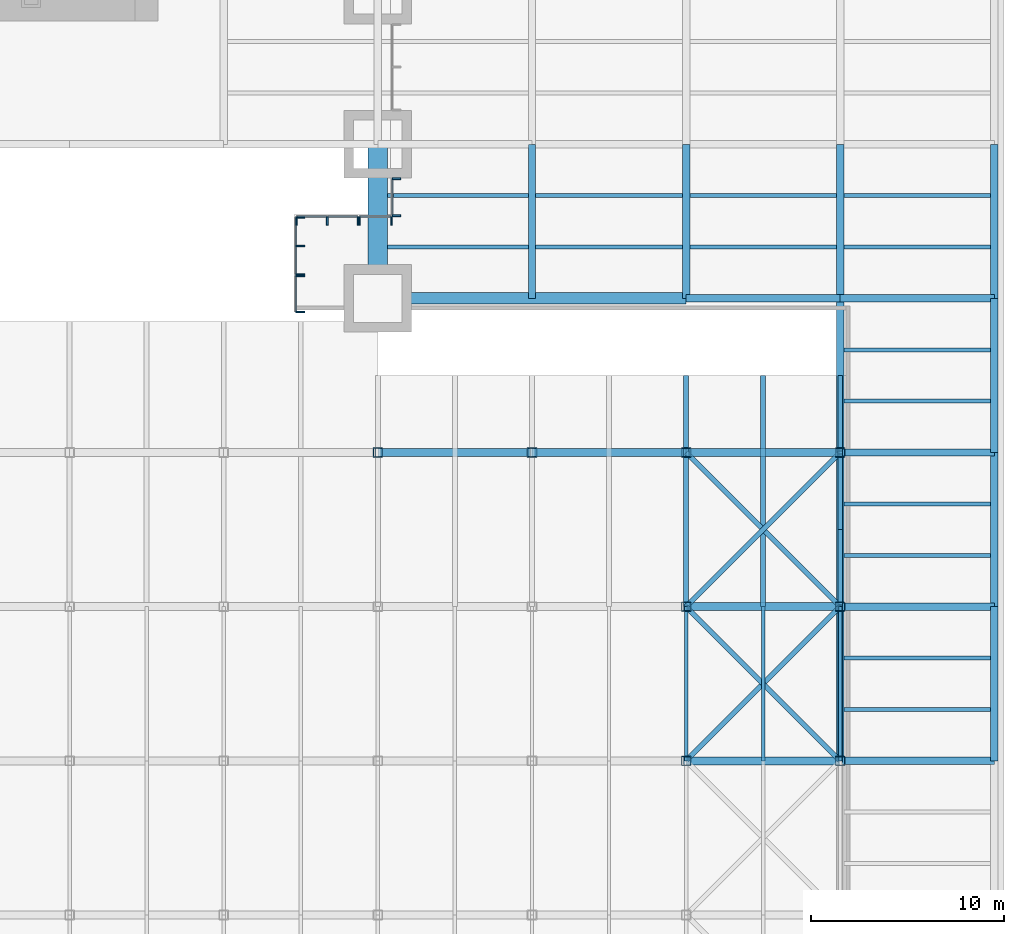
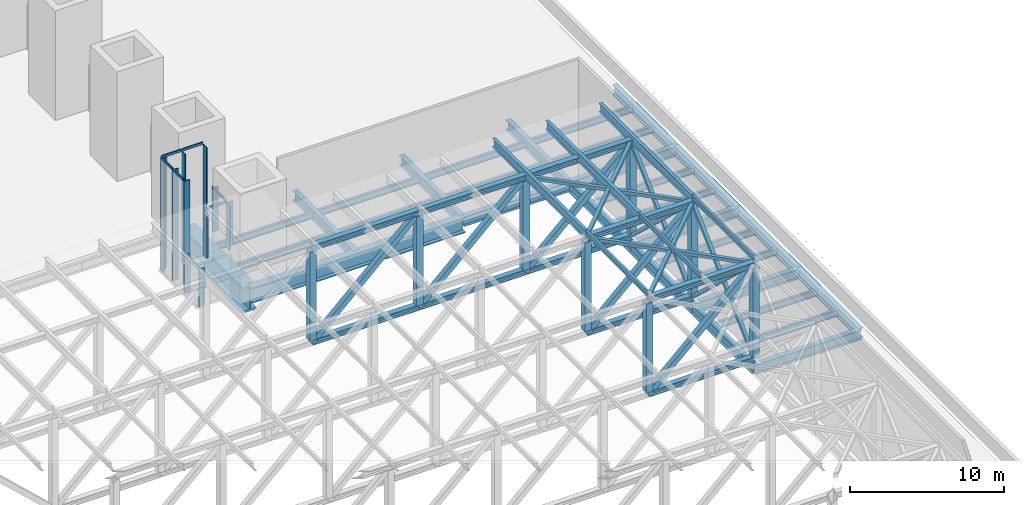
# One storey, part 6 of 20: 56 members, 31 beams, 5 elements without a shape of their own.
"""IFC4 building model written with IfcOpenShell, lengths in metres."""

from ifc_helpers import new_model, si_unit, direction, frame, origin, origin_2d, place, context, subcontext, project, spatial, rectangle, hollow_rectangle, i_section, extrude, material, material_profile, profile_set, type_object, element, aggregate, save


model = new_model("IFC4")

# Units and contexts
model_context = context("Model", 3, precision=1e-05, world=origin(), true_north=direction((0.0, 1.0)))
body_context = subcontext(model_context, "Body", "Model", "MODEL_VIEW")
ifc_project = project(units=[si_unit("LENGTHUNIT", "METRE"), si_unit("AREAUNIT", "SQUARE_METRE"), si_unit("VOLUMEUNIT", "CUBIC_METRE"), si_unit("PLANEANGLEUNIT", "RADIAN"), si_unit("MASSUNIT", "GRAM", prefix="KILO")], contexts=[model_context])

# Site, building, storey
site_placement = place(None, origin())
site = spatial("IfcSite", under=ifc_project, at=site_placement, CompositionType="ELEMENT")
building_placement = place(site_placement, origin())
building = spatial("IfcBuilding", under=site, at=building_placement, Name="Daluyong Arena Tower", CompositionType="ELEMENT")
storey_placement = place(building_placement, frame((0.0, 0.0, 25.89990234375)))
storey = spatial("IfcBuildingStorey", under=building, at=storey_placement, Name="L05", CompositionType="ELEMENT", Elevation=25.89990234375)

# Curtain wall, members
ifc_material_1 = material(Name="Bronze anodised aluminium and glass", Category="aluminium")
curtain_wall_type = type_object("IfcCurtainWallType", Name="Curtain wall CW6", PredefinedType="USERDEFINED", material=ifc_material_1)
curtain_wall_1_placement = place(storey_placement, origin())
curtain_wall_1 = element("IfcCurtainWall", 1, at=curtain_wall_1_placement, inside=storey, type_object=curtain_wall_type, Name="curtain wall L05 SE-E bay 1", ObjectType="UNITISED CURTAIN WALL", PredefinedType="USERDEFINED")
ifc_material_2 = material(Name="Bronze anodised aluminium fin", Category="aluminium")
ifc_material_profile_1 = material_profile(ifc_material_2, rectangle(XDim=0.449951171875, YDim=0.080078125, at=origin_2d()))
ifc_profile_set_1 = profile_set([ifc_material_profile_1], Name="Bronze anodised aluminium fin")
member_type_1 = type_object("IfcMemberType", Name="CW6 bronze fin 450x80", PredefinedType="MULLION", material=ifc_profile_set_1)
member_1_placement = place(storey_placement, frame((75.97509765625, 55.2900390625, 0.0), z_axis=(0.0, 0.0, 1.0), x_axis=(-1.0, 0.0, 0.0)))
member_1 = element("IfcMember", 2, at=member_1_placement, type_object=member_type_1, Name="curtain wall L05 SE-E bay 1 fin 1", PredefinedType="MULLION", context=body_context, shape_type="SweptSolid", body=[
    extrude(rectangle(XDim=0.449951171875, YDim=0.080078125, at=origin_2d()), origin(), (0.0, 0.0, 1.0), 3.0),
])
member_2_placement = place(storey_placement, frame((75.97509765625, 57.159912109375, 0.0), z_axis=(0.0, 0.0, 1.0), x_axis=(-1.0, 0.0, 0.0)))
member_2 = element("IfcMember", 3, at=member_2_placement, type_object=member_type_1, Name="curtain wall L05 SE-E bay 1 fin 2", PredefinedType="MULLION", context=body_context, shape_type="SweptSolid", body=[
    extrude(rectangle(XDim=0.449951171875, YDim=0.080078125, at=origin_2d()), origin(), (0.0, 0.0, 1.0), 3.0),
])

curtain_wall_2_placement = place(storey_placement, origin())
curtain_wall_2 = element("IfcCurtainWall", 4, at=curtain_wall_2_placement, inside=storey, type_object=curtain_wall_type, Name="curtain wall L05 SE-E bay 2", ObjectType="UNITISED CURTAIN WALL", PredefinedType="USERDEFINED")
member_3_placement = place(storey_placement, frame((75.97509765625, 57.239990234375, 0.0), z_axis=(0.0, 0.0, 1.0), x_axis=(-1.0, 0.0, 0.0)))
member_3 = element("IfcMember", 5, at=member_3_placement, type_object=member_type_1, Name="curtain wall L05 SE-E bay 2 fin 1", PredefinedType="MULLION", context=body_context, shape_type="SweptSolid", body=[
    extrude(rectangle(XDim=0.449951171875, YDim=0.080078125, at=origin_2d()), origin(), (0.0, 0.0, 1.0), 8.800048828125),
])
member_4_placement = place(storey_placement, frame((75.97509765625, 58.72509765625, 0.0), z_axis=(0.0, 0.0, 1.0), x_axis=(-1.0, 0.0, 0.0)))
member_4 = element("IfcMember", 6, at=member_4_placement, type_object=member_type_1, Name="curtain wall L05 SE-E bay 2 fin 2", PredefinedType="MULLION", context=body_context, shape_type="SweptSolid", body=[
    extrude(rectangle(XDim=0.449951171875, YDim=0.080078125, at=origin_2d()), origin(), (0.0, 0.0, 1.0), 8.800048828125),
])
member_5_placement = place(storey_placement, frame((75.97509765625, 60.2099609375, 0.0), z_axis=(0.0, 0.0, 1.0), x_axis=(-1.0, 0.0, 0.0)))
member_5 = element("IfcMember", 7, at=member_5_placement, type_object=member_type_1, Name="curtain wall L05 SE-E bay 2 fin 3", PredefinedType="MULLION", context=body_context, shape_type="SweptSolid", body=[
    extrude(rectangle(XDim=0.449951171875, YDim=0.080078125, at=origin_2d()), origin(), (0.0, 0.0, 1.0), 8.800048828125),
])

curtain_wall_3_placement = place(storey_placement, origin())
curtain_wall_3 = element("IfcCurtainWall", 8, at=curtain_wall_3_placement, inside=storey, type_object=curtain_wall_type, Name="curtain wall L05 SE-S bay 1", ObjectType="UNITISED CURTAIN WALL", PredefinedType="USERDEFINED")
member_6_placement = place(storey_placement, frame((75.7900390625, 60.02490234375, 0.0), z_axis=(0.0, 0.0, 1.0), x_axis=(0.0, 1.0, 0.0)))
member_6 = element("IfcMember", 9, at=member_6_placement, type_object=member_type_1, Name="curtain wall L05 SE-S bay 1 fin 1", PredefinedType="MULLION", context=body_context, shape_type="SweptSolid", body=[
    extrude(rectangle(XDim=0.449951171875, YDim=0.080078125, at=origin_2d()), origin(), (0.0, 0.0, 1.0), 8.800048828125),
])
member_7_placement = place(storey_placement, frame((77.375, 60.02490234375, 0.0), z_axis=(0.0, 0.0, 1.0), x_axis=(0.0, 1.0, 0.0)))
member_7 = element("IfcMember", 10, at=member_7_placement, type_object=member_type_1, Name="curtain wall L05 SE-S bay 1 fin 2", PredefinedType="MULLION", context=body_context, shape_type="SweptSolid", body=[
    extrude(rectangle(XDim=0.449951171875, YDim=0.080078125, at=origin_2d()), origin(), (0.0, 0.0, 1.0), 8.800048828125),
])
member_8_placement = place(storey_placement, frame((78.9599609375, 60.02490234375, 0.0), z_axis=(0.0, 0.0, 1.0), x_axis=(0.0, 1.0, 0.0)))
member_8 = element("IfcMember", 11, at=member_8_placement, type_object=member_type_1, Name="curtain wall L05 SE-S bay 1 fin 3", PredefinedType="MULLION", context=body_context, shape_type="SweptSolid", body=[
    extrude(rectangle(XDim=0.449951171875, YDim=0.080078125, at=origin_2d()), origin(), (0.0, 0.0, 1.0), 8.800048828125),
])

curtain_wall_4_placement = place(storey_placement, origin())
curtain_wall_4 = element("IfcCurtainWall", 12, at=curtain_wall_4_placement, inside=storey, type_object=curtain_wall_type, Name="curtain wall L05 SE-S bay 2", ObjectType="UNITISED CURTAIN WALL", PredefinedType="USERDEFINED")
member_9_placement = place(storey_placement, frame((79.0400390625, 60.02490234375, 0.0), z_axis=(0.0, 0.0, 1.0), x_axis=(0.0, 1.0, 0.0)))
member_9 = element("IfcMember", 13, at=member_9_placement, type_object=member_type_1, Name="curtain wall L05 SE-S bay 2 fin 1", PredefinedType="MULLION", context=body_context, shape_type="SweptSolid", body=[
    extrude(rectangle(XDim=0.449951171875, YDim=0.080078125, at=origin_2d()), origin(), (0.0, 0.0, 1.0), 3.5),
])
member_10_placement = place(storey_placement, frame((80.7099609375, 60.02490234375, 0.0), z_axis=(0.0, 0.0, 1.0), x_axis=(0.0, 1.0, 0.0)))
member_10 = element("IfcMember", 14, at=member_10_placement, type_object=member_type_1, Name="curtain wall L05 SE-S bay 2 fin 2", PredefinedType="MULLION", context=body_context, shape_type="SweptSolid", body=[
    extrude(rectangle(XDim=0.449951171875, YDim=0.080078125, at=origin_2d()), origin(), (0.0, 0.0, 1.0), 3.5),
])

curtain_wall_5_placement = place(storey_placement, origin())
curtain_wall_5 = element("IfcCurtainWall", 15, at=curtain_wall_5_placement, inside=storey, type_object=curtain_wall_type, Name="curtain wall L05 E bay 1", ObjectType="UNITISED CURTAIN WALL", PredefinedType="USERDEFINED")
member_11_placement = place(storey_placement, frame((80.97509765625, 60.2900390625, 0.0), z_axis=(0.0, 0.0, 1.0), x_axis=(-1.0, 0.0, 0.0)))
member_11 = element("IfcMember", 16, at=member_11_placement, type_object=member_type_1, Name="curtain wall L05 E bay 1 fin 1", PredefinedType="MULLION", context=body_context, shape_type="SweptSolid", body=[
    extrude(rectangle(XDim=0.449951171875, YDim=0.080078125, at=origin_2d()), origin(), (0.0, 0.0, 1.0), 3.5),
])
member_12_placement = place(storey_placement, frame((80.97509765625, 62.2099609375, 0.0), z_axis=(0.0, 0.0, 1.0), x_axis=(-1.0, 0.0, 0.0)))
member_12 = element("IfcMember", 17, at=member_12_placement, type_object=member_type_1, Name="curtain wall L05 E bay 1 fin 2", PredefinedType="MULLION", context=body_context, shape_type="SweptSolid", body=[
    extrude(rectangle(XDim=0.449951171875, YDim=0.080078125, at=origin_2d()), origin(), (0.0, 0.0, 1.0), 3.5),
])

# Member
ifc_material_3 = material(Name="Bronze anodised aluminium", Category="aluminium")
ifc_material_profile_2 = material_profile(ifc_material_3, rectangle(XDim=0.080078125, YDim=0.199951171875, at=origin_2d()))
ifc_profile_set_2 = profile_set([ifc_material_profile_2], Name="Bronze anodised aluminium")
member_type_2 = type_object("IfcMemberType", Name="CW6 stack transom 200x80", PredefinedType="USERDEFINED", material=ifc_profile_set_2)
member_13_placement = place(storey_placement, frame((75.75, 55.330078125, 3.10009765625), z_axis=(0.0, 1.0, 0.0), x_axis=(-1.0, 0.0, 0.0)))
member_13 = element("IfcMember", 18, at=member_13_placement, type_object=member_type_2, Name="curtain wall L05 SE-E bay 1 transom 1", ObjectType="TRANSOM", PredefinedType="USERDEFINED", context=body_context, shape_type="SweptSolid", body=[
    extrude(rectangle(XDim=0.080078125, YDim=0.199951171875, at=origin_2d()), origin(), (0.0, 0.0, 1.0), 1.7900390625),
])

aggregate(curtain_wall_1, [member_1, member_2, member_13])

member_14_placement = place(storey_placement, frame((75.75, 57.280029296875, 8.900146484375), z_axis=(0.0, 1.0, 0.0), x_axis=(-1.0, 0.0, 0.0)))
member_14 = element("IfcMember", 19, at=member_14_placement, type_object=member_type_2, Name="curtain wall L05 SE-E bay 2 transom 1", ObjectType="TRANSOM", PredefinedType="USERDEFINED", context=body_context, shape_type="SweptSolid", body=[
    extrude(rectangle(XDim=0.080078125, YDim=0.199951171875, at=origin_2d()), origin(), (0.0, 0.0, 1.0), 1.405029296875),
])

member_15_placement = place(storey_placement, frame((75.75, 58.764892578125, 8.900146484375), z_axis=(0.0, 1.0, 0.0), x_axis=(-1.0, 0.0, 0.0)))
member_15 = element("IfcMember", 20, at=member_15_placement, type_object=member_type_2, Name="curtain wall L05 SE-E bay 2 transom 2", ObjectType="TRANSOM", PredefinedType="USERDEFINED", context=body_context, shape_type="SweptSolid", body=[
    extrude(rectangle(XDim=0.080078125, YDim=0.199951171875, at=origin_2d()), origin(), (0.0, 0.0, 1.0), 1.405029296875),
])

aggregate(curtain_wall_2, [member_3, member_4, member_5, member_14, member_15])

member_16_placement = place(storey_placement, frame((75.830078125, 60.25, 8.900146484375), z_axis=(1.0, 0.0, 0.0), x_axis=(0.0, 1.0, 0.0)))
member_16 = element("IfcMember", 21, at=member_16_placement, type_object=member_type_2, Name="curtain wall L05 SE-S bay 1 transom 1", ObjectType="TRANSOM", PredefinedType="USERDEFINED", context=body_context, shape_type="SweptSolid", body=[
    extrude(rectangle(XDim=0.080078125, YDim=0.199951171875, at=origin_2d()), origin(), (0.0, 0.0, 1.0), 1.5048828125),
])

member_17_placement = place(storey_placement, frame((77.4150390625, 60.25, 8.900146484375), z_axis=(1.0, 0.0, 0.0), x_axis=(0.0, 1.0, 0.0)))
member_17 = element("IfcMember", 22, at=member_17_placement, type_object=member_type_2, Name="curtain wall L05 SE-S bay 1 transom 2", ObjectType="TRANSOM", PredefinedType="USERDEFINED", context=body_context, shape_type="SweptSolid", body=[
    extrude(rectangle(XDim=0.080078125, YDim=0.199951171875, at=origin_2d()), origin(), (0.0, 0.0, 1.0), 1.5048828125),
])

aggregate(curtain_wall_3, [member_6, member_7, member_8, member_16, member_17])

member_18_placement = place(storey_placement, frame((79.080078125, 60.25, 3.60009765625), z_axis=(1.0, 0.0, 0.0), x_axis=(0.0, 1.0, 0.0)))
member_18 = element("IfcMember", 23, at=member_18_placement, type_object=member_type_2, Name="curtain wall L05 SE-S bay 2 transom 1", ObjectType="TRANSOM", PredefinedType="USERDEFINED", context=body_context, shape_type="SweptSolid", body=[
    extrude(rectangle(XDim=0.080078125, YDim=0.199951171875, at=origin_2d()), origin(), (0.0, 0.0, 1.0), 1.58984375),
])

aggregate(curtain_wall_4, [member_9, member_10, member_18])

member_19_placement = place(storey_placement, frame((80.75, 60.330078125, 3.60009765625), z_axis=(0.0, 1.0, 0.0), x_axis=(-1.0, 0.0, 0.0)))
member_19 = element("IfcMember", 24, at=member_19_placement, type_object=member_type_2, Name="curtain wall L05 E bay 1 transom 1", ObjectType="TRANSOM", PredefinedType="USERDEFINED", context=body_context, shape_type="SweptSolid", body=[
    extrude(rectangle(XDim=0.080078125, YDim=0.199951171875, at=origin_2d()), origin(), (0.0, 0.0, 1.0), 1.83984375),
])

aggregate(curtain_wall_5, [member_11, member_12, member_19])

# Beams
ifc_material_4 = material(Name="Steel ASTM A992 Grade 50", Category="steel")
ifc_material_profile_3 = material_profile(ifc_material_4, i_section(OverallWidth=0.209228515625, OverallDepth=0.533447265625, WebThickness=0.01025390625, FlangeThickness=0.015625, at=origin_2d()))
ifc_profile_set_3 = profile_set([ifc_material_profile_3], Name="Steel ASTM A992 Grade 50")
beam_type_1 = type_object("IfcBeamType", Name="Podium floor beam W21X62", PredefinedType="BEAM", material=ifc_profile_set_3)
for number, where, z_axis, x_axis, name in (
    (25, (80.5, 58.666748046875, -0.5166015625), (1.0, 0.0, 0.0), (0.0, 1.0, 0.0), "podium floor beam PB1"),
    (26, (80.5, 61.333251953125, -0.5166015625), (1.0, 0.0, 0.0), (0.0, 1.0, 0.0), "podium floor beam PB1"),
):
    element("IfcBeam", number, at=place(storey_placement, frame(where, z_axis=z_axis, x_axis=x_axis)), inside=storey, type_object=beam_type_1, Name=name, PredefinedType="BEAM", context=body_context, shape_type="SweptSolid", body=[
        extrude(i_section(OverallWidth=0.209228515625, OverallDepth=0.533447265625, WebThickness=0.01025390625, FlangeThickness=0.015625, at=origin_2d()), origin(), (0.0, 0.0, 1.0), 7.3095703125),
    ])
for number, where, z_axis, x_axis, name in (
    (27, (88.1904296875, 58.666748046875, -0.5166015625), (1.0, 0.0, 0.0), (0.0, 1.0, 0.0), "podium floor beam PB1"),
    (28, (88.1904296875, 61.333251953125, -0.5166015625), (1.0, 0.0, 0.0), (0.0, 1.0, 0.0), "podium floor beam PB1"),
    (29, (96.1904296875, 58.666748046875, -0.5166015625), (1.0, 0.0, 0.0), (0.0, 1.0, 0.0), "podium floor beam PB1"),
    (30, (96.1904296875, 61.333251953125, -0.5166015625), (1.0, 0.0, 0.0), (0.0, 1.0, 0.0), "podium floor beam PB1"),
    (31, (104.1904296875, 34.666748046875, -0.5166015625), (1.0, 0.0, 0.0), (0.0, 1.0, 0.0), "podium floor beam PB1"),
    (32, (104.1904296875, 37.333251953125, -0.5166015625), (1.0, 0.0, 0.0), (0.0, 1.0, 0.0), "podium floor beam PB1"),
    (33, (104.1904296875, 42.666748046875, -0.5166015625), (1.0, 0.0, 0.0), (0.0, 1.0, 0.0), "podium floor beam PB1"),
    (34, (104.1904296875, 45.333251953125, -0.5166015625), (1.0, 0.0, 0.0), (0.0, 1.0, 0.0), "podium floor beam PB1"),
    (35, (104.1904296875, 50.666748046875, -0.5166015625), (1.0, 0.0, 0.0), (0.0, 1.0, 0.0), "podium floor beam PB1"),
    (36, (104.1904296875, 53.333251953125, -0.5166015625), (1.0, 0.0, 0.0), (0.0, 1.0, 0.0), "podium floor beam PB1"),
    (37, (104.1904296875, 58.666748046875, -0.5166015625), (1.0, 0.0, 0.0), (0.0, 1.0, 0.0), "podium floor beam PB1"),
    (38, (104.1904296875, 61.333251953125, -0.5166015625), (1.0, 0.0, 0.0), (0.0, 1.0, 0.0), "podium floor beam PB1"),
):
    element("IfcBeam", number, at=place(storey_placement, frame(where, z_axis=z_axis, x_axis=x_axis)), inside=storey, type_object=beam_type_1, Name=name, PredefinedType="BEAM", context=body_context, shape_type="SweptSolid", body=[
        extrude(i_section(OverallWidth=0.209228515625, OverallDepth=0.533447265625, WebThickness=0.01025390625, FlangeThickness=0.015625, at=origin_2d()), origin(), (0.0, 0.0, 1.0), 7.619140625),
    ])
ifc_material_5 = material(Name="Steel ASTM A588 Grade 50", Category="steel")
ifc_material_profile_4 = material_profile(ifc_material_5, i_section(OverallWidth=1.0, OverallDepth=2.0, WebThickness=0.06, FlangeThickness=0.15, at=origin_2d()))
ifc_profile_set_4 = profile_set([ifc_material_profile_4], Name="Steel ASTM A588 Grade 50")
beam_type_2 = type_object("IfcBeamType", Name="Podium girder PG2000X1000", PredefinedType="BEAM", material=ifc_profile_set_4)
beam_1_placement = place(storey_placement, frame((80.0, 56.0, -1.25), z_axis=(0.0, 1.0, 0.0), x_axis=(-1.0, 0.0, 0.0)))
element("IfcBeam", 39, at=beam_1_placement, inside=storey, type_object=beam_type_2, Name="podium girder PG3", PredefinedType="BEAM", context=body_context, shape_type="SweptSolid", body=[
    extrude(i_section(OverallWidth=1.0, OverallDepth=2.0, WebThickness=0.06, FlangeThickness=0.15, at=origin_2d()), origin(), (0.0, 0.0, 1.0), 8.0),
])
ifc_material_6 = material(Name="Steel ASTM A992 Grade 50", Category="steel")
ifc_material_profile_5 = material_profile(ifc_material_6, i_section(OverallWidth=0.381103515625, OverallDepth=0.772216796875, WebThickness=0.0166015625, FlangeThickness=0.027099609375, at=origin_2d()))
ifc_profile_set_5 = profile_set([ifc_material_profile_5], Name="Steel ASTM A992 Grade 50")
beam_type_3 = type_object("IfcBeamType", Name="Podium girder W30X173", PredefinedType="BEAM", material=ifc_profile_set_5)
for number, where, z_axis, x_axis, name in (
    (40, (88.0, 56.0, -0.635986328125), (0.0, 1.0, 0.0), (-1.0, 0.0, 0.0), "podium girder PG1"),
    (41, (96.0, 56.0, -0.635986328125), (1.0, 0.0, 0.0), (0.0, 1.0, 0.0), "podium girder PG1"),
    (42, (96.0, 56.0, -0.635986328125), (0.0, 1.0, 0.0), (-1.0, 0.0, 0.0), "podium girder PG1"),
    (43, (104.0, 32.0, -0.635986328125), (1.0, 0.0, 0.0), (0.0, 1.0, 0.0), "podium girder PG1"),
    (44, (104.0, 32.0, -0.635986328125), (0.0, 1.0, 0.0), (-1.0, 0.0, 0.0), "podium girder PG1"),
    (45, (104.0, 40.0, -0.635986328125), (1.0, 0.0, 0.0), (0.0, 1.0, 0.0), "podium girder PG1"),
    (46, (104.0, 40.0, -0.635986328125), (0.0, 1.0, 0.0), (-1.0, 0.0, 0.0), "podium girder PG1"),
    (47, (104.0, 48.0, -0.635986328125), (1.0, 0.0, 0.0), (0.0, 1.0, 0.0), "podium girder PG1"),
    (48, (104.0, 48.0, -0.635986328125), (0.0, 1.0, 0.0), (-1.0, 0.0, 0.0), "podium girder PG1"),
    (49, (104.0, 56.0, -0.635986328125), (1.0, 0.0, 0.0), (0.0, 1.0, 0.0), "podium girder PG1"),
    (50, (104.0, 56.0, -0.635986328125), (0.0, 1.0, 0.0), (-1.0, 0.0, 0.0), "podium girder PG1"),
    (51, (112.0, 32.0, -0.635986328125), (0.0, 1.0, 0.0), (-1.0, 0.0, 0.0), "podium girder PG1"),
    (52, (112.0, 40.0, -0.635986328125), (0.0, 1.0, 0.0), (-1.0, 0.0, 0.0), "podium girder PG1"),
    (53, (112.0, 48.0, -0.635986328125), (0.0, 1.0, 0.0), (-1.0, 0.0, 0.0), "podium girder PG1"),
    (54, (112.0, 56.0, -0.635986328125), (0.0, 1.0, 0.0), (-1.0, 0.0, 0.0), "podium girder PG1"),
):
    element("IfcBeam", number, at=place(storey_placement, frame(where, z_axis=z_axis, x_axis=x_axis)), inside=storey, type_object=beam_type_3, Name=name, PredefinedType="BEAM", context=body_context, shape_type="SweptSolid", body=[
        extrude(i_section(OverallWidth=0.381103515625, OverallDepth=0.772216796875, WebThickness=0.0166015625, FlangeThickness=0.027099609375, at=origin_2d()), origin(), (0.0, 0.0, 1.0), 8.0),
    ])
ifc_material_7 = material(Name="Steel ASTM A572 Grade 50", Category="steel")
ifc_material_profile_6 = material_profile(ifc_material_7, i_section(OverallWidth=0.60009765625, OverallDepth=1.199951171875, WebThickness=0.03, FlangeThickness=0.08, at=origin_2d()))
ifc_profile_set_6 = profile_set([ifc_material_profile_6], Name="Steel ASTM A572 Grade 50")
beam_type_4 = type_object("IfcBeamType", Name="Podium roof long-span girder PG1200X600", PredefinedType="BEAM", material=ifc_profile_set_6)
beam_2_placement = place(storey_placement, frame((80.0, 56.0, -0.849853515625), z_axis=(1.0, 0.0, 0.0), x_axis=(0.0, 1.0, 0.0)))
element("IfcBeam", 55, at=beam_2_placement, inside=storey, type_object=beam_type_4, Name="podium roof long-span girder PL1", PredefinedType="BEAM", context=body_context, shape_type="SweptSolid", body=[
    extrude(i_section(OverallWidth=0.60009765625, OverallDepth=1.199951171875, WebThickness=0.03, FlangeThickness=0.08, at=origin_2d()), origin(), (0.0, 0.0, 1.0), 16.0),
])

# Members
ifc_material_8 = material(Name="Steel ASTM A1085", Category="steel")
ifc_material_profile_7 = material_profile(ifc_material_8, hollow_rectangle(XDim=0.25390625, YDim=0.25390625, WallThickness=0.0126953125, at=origin_2d()))
ifc_profile_set_7 = profile_set([ifc_material_profile_7], Name="Steel ASTM A1085")
member_type_3 = type_object("IfcMemberType", Name="Roof plan bracing HSS10X10X1/2", PredefinedType="BRACE", material=ifc_profile_set_7)
for number, where, z_axis, x_axis, name in (
    (56, (96.0, 32.0, 7.71728515625), (0.707106781187, 0.707106781187, 0.0), (-0.707106781187, 0.707106781187, 0.0), "roof plan bracing RX2"),
    (57, (104.0, 32.0, 7.71728515625), (-0.707106781187, 0.707106781187, 0.0), (-0.707106781187, -0.707106781187, 0.0), "roof plan bracing RX2"),
    (58, (96.0, 40.0, 7.71728515625), (0.707106781187, 0.707106781187, 0.0), (-0.707106781187, 0.707106781187, 0.0), "roof plan bracing RX2"),
    (59, (104.0, 40.0, 7.71728515625), (-0.707106781187, 0.707106781187, 0.0), (-0.707106781187, -0.707106781187, 0.0), "roof plan bracing RX2"),
):
    element("IfcMember", number, at=place(storey_placement, frame(where, z_axis=z_axis, x_axis=x_axis)), inside=storey, type_object=member_type_3, Name=name, PredefinedType="BRACE", context=body_context, shape_type="SweptSolid", body=[
        extrude(hollow_rectangle(XDim=0.25390625, YDim=0.25390625, WallThickness=0.0126953125, at=origin_2d()), origin(), (0.0, 0.0, 1.0), 11.313720703125),
    ])
ifc_material_9 = material(Name="Steel ASTM A992 Grade 50", Category="steel")
ifc_material_profile_8 = material_profile(ifc_material_9, i_section(OverallWidth=0.177734375, OverallDepth=0.406494140625, WebThickness=0.0078125, FlangeThickness=0.012939453125, at=origin_2d()))
ifc_profile_set_8 = profile_set([ifc_material_profile_8], Name="Steel ASTM A992 Grade 50")
member_type_4 = type_object("IfcMemberType", Name="Roof purlin W16X40", PredefinedType="PURLIN", material=ifc_profile_set_8)
for number, where, z_axis, x_axis, name in (
    (60, (96.0, 32.0, 8.1376953125), (0.0, 1.0, 0.0), (-1.0, 0.0, 0.0), "roof purlin RP1"),
    (61, (100.0, 32.0, 8.1376953125), (0.0, 1.0, 0.0), (-1.0, 0.0, 0.0), "roof purlin RP1"),
    (62, (104.0, 32.0, 8.1376953125), (0.0, 1.0, 0.0), (-1.0, 0.0, 0.0), "roof purlin RP1"),
):
    element("IfcMember", number, at=place(storey_placement, frame(where, z_axis=z_axis, x_axis=x_axis)), inside=storey, type_object=member_type_4, Name=name, PredefinedType="PURLIN", context=body_context, shape_type="SweptSolid", body=[
        extrude(i_section(OverallWidth=0.177734375, OverallDepth=0.406494140625, WebThickness=0.0078125, FlangeThickness=0.012939453125, at=origin_2d()), origin(), (0.0, 0.0, 1.0), 8.0),
    ])
ifc_material_10 = material(Name="Steel ASTM A992 Grade 50", Category="steel")
ifc_material_profile_9 = material_profile(ifc_material_10, i_section(OverallWidth=0.25390625, OverallDepth=0.683349609375, WebThickness=0.012451171875, FlangeThickness=0.01904296875, at=origin_2d()))
ifc_profile_set_9 = profile_set([ifc_material_profile_9], Name="Steel ASTM A992 Grade 50")
member_type_5 = type_object("IfcMemberType", Name="Roof purlin W27X94", PredefinedType="PURLIN", material=ifc_profile_set_9)
for number, where, z_axis, x_axis, name in (
    (63, (96.0, 40.0, 7.999267578125), (0.0, 1.0, 0.0), (-1.0, 0.0, 0.0), "roof purlin RP2"),
    (64, (100.0, 40.0, 7.999267578125), (0.0, 1.0, 0.0), (-1.0, 0.0, 0.0), "roof purlin RP2"),
    (65, (104.0, 40.0, 7.999267578125), (0.0, 1.0, 0.0), (-1.0, 0.0, 0.0), "roof purlin RP2"),
):
    element("IfcMember", number, at=place(storey_placement, frame(where, z_axis=z_axis, x_axis=x_axis)), inside=storey, type_object=member_type_5, Name=name, PredefinedType="PURLIN", context=body_context, shape_type="SweptSolid", body=[
        extrude(i_section(OverallWidth=0.25390625, OverallDepth=0.683349609375, WebThickness=0.012451171875, FlangeThickness=0.01904296875, at=origin_2d()), origin(), (0.0, 0.0, 1.0), 12.0),
    ])
ifc_material_11 = material(Name="Steel ASTM A992 Grade 50", Category="steel")
ifc_material_profile_10 = material_profile(ifc_material_11, i_section(OverallWidth=0.411376953125, OverallDepth=0.434326171875, WebThickness=0.035888671875, FlangeThickness=0.057373046875, at=origin_2d()))
ifc_profile_set_10 = profile_set([ifc_material_profile_10], Name="Steel ASTM A992 Grade 50")
member_type_6 = type_object("IfcMemberType", Name="Roof truss chord W14X311", PredefinedType="CHORD", material=ifc_profile_set_10)
for number, where, z_axis, x_axis, name in (
    (66, (96.0, 32.0, 0.21728515625), (1.0, 0.0, 0.0), (0.0, 1.0, 0.0), "roof truss chord RT1"),
    (67, (96.0, 32.0, 7.71728515625), (1.0, 0.0, 0.0), (0.0, 1.0, 0.0), "roof truss chord RT1"),
    (68, (96.0, 40.0, 0.21728515625), (1.0, 0.0, 0.0), (0.0, 1.0, 0.0), "roof truss chord RT1"),
    (69, (96.0, 40.0, 7.71728515625), (1.0, 0.0, 0.0), (0.0, 1.0, 0.0), "roof truss chord RT1"),
    (70, (80.0, 48.0, 0.21728515625), (1.0, 0.0, 0.0), (0.0, 1.0, 0.0), "roof truss chord RT1"),
    (71, (88.0, 48.0, 0.21728515625), (1.0, 0.0, 0.0), (0.0, 1.0, 0.0), "roof truss chord RT1"),
    (72, (96.0, 48.0, 0.21728515625), (1.0, 0.0, 0.0), (0.0, 1.0, 0.0), "roof truss chord RT1"),
    (73, (80.0, 48.0, 7.71728515625), (1.0, 0.0, 0.0), (0.0, 1.0, 0.0), "roof truss chord RT1"),
    (74, (88.0, 48.0, 7.71728515625), (1.0, 0.0, 0.0), (0.0, 1.0, 0.0), "roof truss chord RT1"),
    (75, (96.0, 48.0, 7.71728515625), (1.0, 0.0, 0.0), (0.0, 1.0, 0.0), "roof truss chord RT1"),
):
    element("IfcMember", number, at=place(storey_placement, frame(where, z_axis=z_axis, x_axis=x_axis)), inside=storey, type_object=member_type_6, Name=name, PredefinedType="CHORD", context=body_context, shape_type="SweptSolid", body=[
        extrude(i_section(OverallWidth=0.411376953125, OverallDepth=0.434326171875, WebThickness=0.035888671875, FlangeThickness=0.057373046875, at=origin_2d()), origin(), (0.0, 0.0, 1.0), 8.0),
    ])
ifc_material_12 = material(Name="Steel ASTM A1085", Category="steel")
ifc_material_profile_11 = material_profile(ifc_material_12, hollow_rectangle(XDim=0.406494140625, YDim=0.406494140625, WallThickness=0.015869140625, at=origin_2d()))
ifc_profile_set_11 = profile_set([ifc_material_profile_11], Name="Steel ASTM A1085")
member_type_7 = type_object("IfcMemberType", Name="Roof truss diagonal HSS16X16X5/8", PredefinedType="BRACE", material=ifc_profile_set_11)
for number, where, z_axis, x_axis, name in (
    (76, (96.0, 32.0, 0.21728515625), (0.72953720414, 0.0, 0.683941128881), (0.0, 1.0, 0.0), "roof truss diagonal RD1"),
    (77, (96.0, 40.0, 0.21728515625), (0.72953720414, 0.0, 0.683941128881), (0.0, 1.0, 0.0), "roof truss diagonal RD1"),
    (78, (80.0, 48.0, 0.21728515625), (0.72953720414, 0.0, 0.683941128881), (0.0, 1.0, 0.0), "roof truss diagonal RD1"),
    (79, (88.0, 48.0, 0.21728515625), (0.72953720414, 0.0, 0.683941128881), (0.0, 1.0, 0.0), "roof truss diagonal RD1"),
    (80, (96.0, 48.0, 0.21728515625), (0.72953720414, 0.0, 0.683941128881), (0.0, 1.0, 0.0), "roof truss diagonal RD1"),
):
    element("IfcMember", number, at=place(storey_placement, frame(where, z_axis=z_axis, x_axis=x_axis)), inside=storey, type_object=member_type_7, Name=name, PredefinedType="BRACE", context=body_context, shape_type="SweptSolid", body=[
        extrude(hollow_rectangle(XDim=0.406494140625, YDim=0.406494140625, WallThickness=0.015869140625, at=origin_2d()), origin(), (0.0, 0.0, 1.0), 10.9658203125),
    ])
ifc_material_13 = material(Name="Steel ASTM A572 Grade 50", Category="steel")
ifc_material_profile_12 = material_profile(ifc_material_13, hollow_rectangle(XDim=0.5, YDim=0.5, WallThickness=0.04, at=origin_2d()))
ifc_profile_set_12 = profile_set([ifc_material_profile_12], Name="Steel ASTM A572 Grade 50")
member_type_8 = type_object("IfcMemberType", Name="Roof truss post BX500X40", PredefinedType="POST", material=ifc_profile_set_12)
for number, where, z_axis, x_axis, name in (
    (81, (96.0, 32.0, 0.434326171875), (0.0, 0.0, 1.0), (1.0, 0.0, 0.0), "roof truss post RV1"),
    (82, (104.0, 32.0, 0.434326171875), (0.0, 0.0, 1.0), (1.0, 0.0, 0.0), "roof truss post RV1"),
    (83, (96.0, 40.0, 0.434326171875), (0.0, 0.0, 1.0), (1.0, 0.0, 0.0), "roof truss post RV1"),
    (84, (104.0, 40.0, 0.434326171875), (0.0, 0.0, 1.0), (1.0, 0.0, 0.0), "roof truss post RV1"),
    (85, (80.0, 48.0, 0.434326171875), (0.0, 0.0, 1.0), (1.0, 0.0, 0.0), "roof truss post RV1"),
    (86, (88.0, 48.0, 0.434326171875), (0.0, 0.0, 1.0), (1.0, 0.0, 0.0), "roof truss post RV1"),
    (87, (96.0, 48.0, 0.434326171875), (0.0, 0.0, 1.0), (1.0, 0.0, 0.0), "roof truss post RV1"),
    (88, (104.0, 48.0, 0.434326171875), (0.0, 0.0, 1.0), (1.0, 0.0, 0.0), "roof truss post RV1"),
):
    element("IfcMember", number, at=place(storey_placement, frame(where, z_axis=z_axis, x_axis=x_axis)), inside=storey, type_object=member_type_8, Name=name, PredefinedType="POST", context=body_context, shape_type="SweptSolid", body=[
        extrude(hollow_rectangle(XDim=0.5, YDim=0.5, WallThickness=0.04, at=origin_2d()), origin(), (0.0, 0.0, 1.0), 7.065673828125),
    ])
ifc_material_14 = material(Name="Steel ASTM A1085", Category="steel")
ifc_material_profile_13 = material_profile(ifc_material_14, hollow_rectangle(XDim=0.25390625, YDim=0.25390625, WallThickness=0.0126953125, at=origin_2d()))
ifc_profile_set_13 = profile_set([ifc_material_profile_13], Name="Steel ASTM A1085")
member_type_9 = type_object("IfcMemberType", Name="Roof vertical bracing HSS10X10X1/2", PredefinedType="BRACE", material=ifc_profile_set_13)
for number, where, z_axis, x_axis, name in (
    (89, (104.0, 32.0, 0.21728515625), (0.0, 0.72953720414, 0.683941128881), (-1.0, 0.0, 0.0), "roof vertical bracing RX1"),
    (90, (104.0, 32.0, 7.71728515625), (0.0, 0.72953720414, -0.683941128881), (-1.0, 0.0, 0.0), "roof vertical bracing RX1"),
    (91, (104.0, 40.0, 0.21728515625), (0.0, 0.72953720414, 0.683941128881), (-1.0, 0.0, 0.0), "roof vertical bracing RX1"),
    (92, (104.0, 40.0, 7.71728515625), (0.0, 0.72953720414, -0.683941128881), (-1.0, 0.0, 0.0), "roof vertical bracing RX1"),
):
    element("IfcMember", number, at=place(storey_placement, frame(where, z_axis=z_axis, x_axis=x_axis)), inside=storey, type_object=member_type_9, Name=name, PredefinedType="BRACE", context=body_context, shape_type="SweptSolid", body=[
        extrude(hollow_rectangle(XDim=0.25390625, YDim=0.25390625, WallThickness=0.0126953125, at=origin_2d()), origin(), (0.0, 0.0, 1.0), 10.9658203125),
    ])

save(model, "model.ifc")
